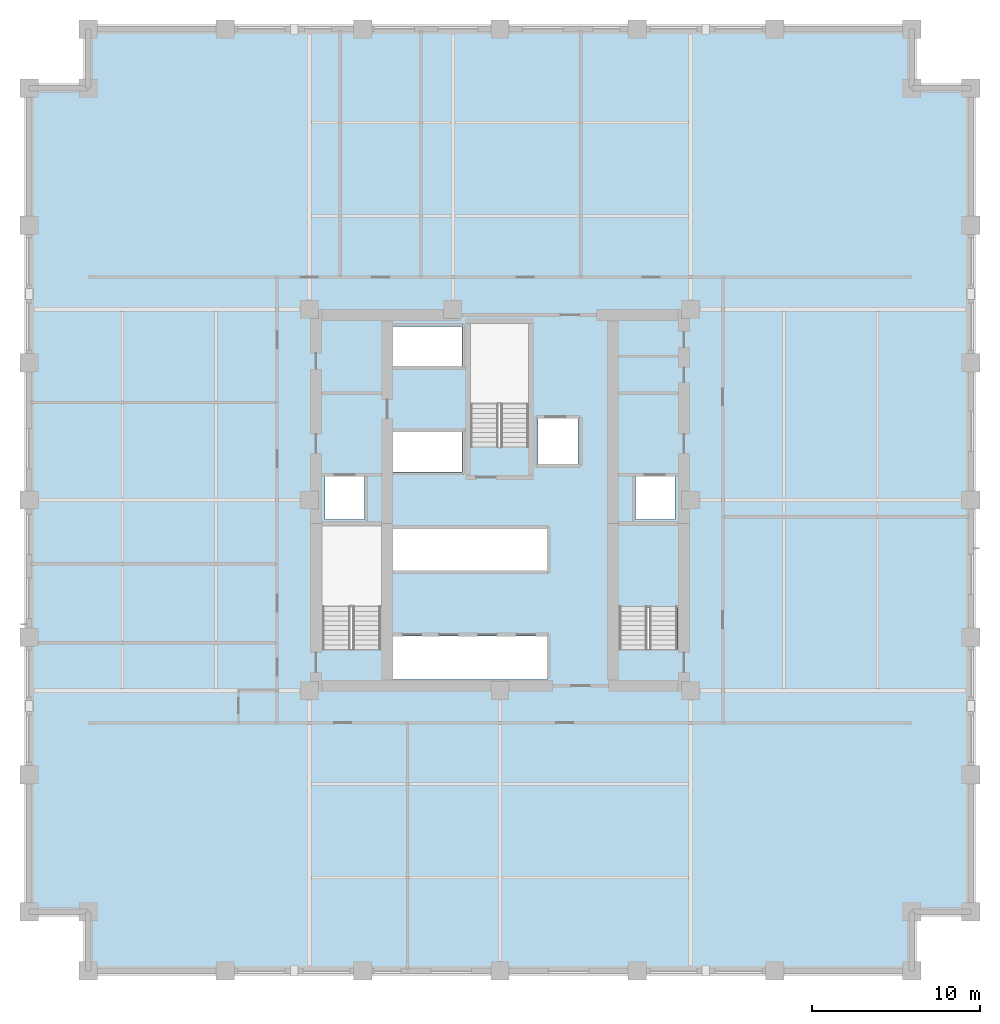
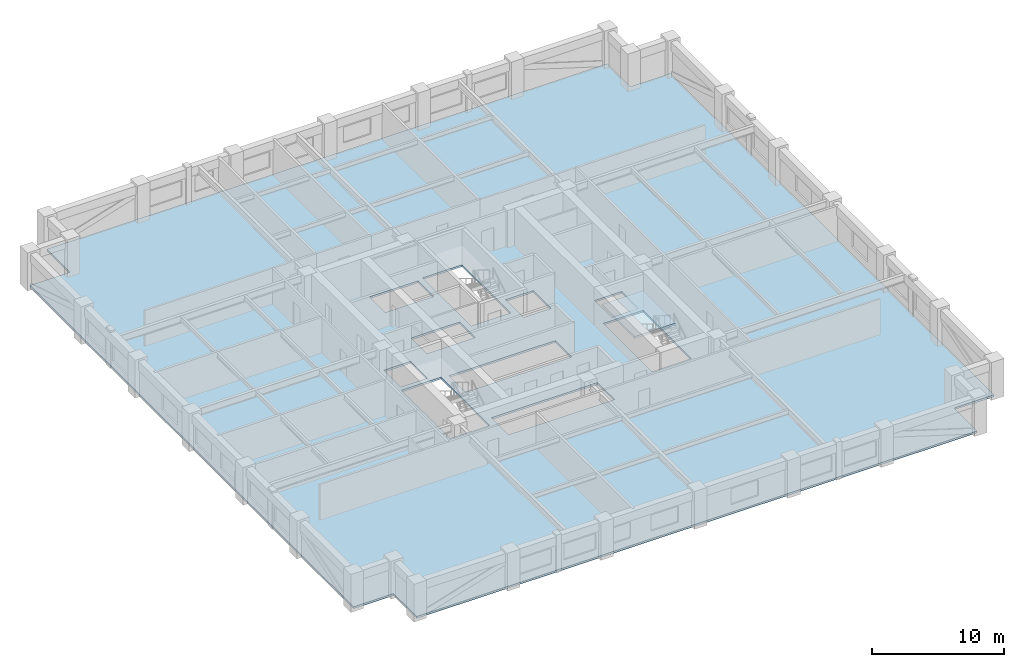
# One storey, part 3 of 9: 2 slabs, 1 element without a shape of its own.
"""IFC4 building model written with IfcOpenShell, lengths in metres."""

from ifc_helpers import new_model, si_unit, direction, frame, origin, place, context, subcontext, project, spatial, polyline, outline, extrude, material, layer, layer_set, type_object, element, aggregate, save


model = new_model("IFC4")

# Units and contexts
model_context = context("Model", 3, precision=1e-05, world=origin(), true_north=direction((0.0, 1.0)))
body_context = subcontext(model_context, "Body", "Model", "MODEL_VIEW")
ifc_project = project(units=[si_unit("LENGTHUNIT", "METRE"), si_unit("AREAUNIT", "SQUARE_METRE"), si_unit("VOLUMEUNIT", "CUBIC_METRE"), si_unit("PLANEANGLEUNIT", "RADIAN"), si_unit("MASSUNIT", "GRAM", prefix="KILO")], contexts=[model_context])

# Site, building, storey
site_placement = place(None, origin())
site = spatial("IfcSite", under=ifc_project, at=site_placement, CompositionType="ELEMENT")
building_placement = place(site_placement, origin())
building = spatial("IfcBuilding", under=site, at=building_placement, Name="Nhamokura Convention Tower", CompositionType="ELEMENT")
storey_placement = place(building_placement, frame((0.0, 0.0, 85.75)))
storey = spatial("IfcBuildingStorey", under=building, at=storey_placement, Name="L20", CompositionType="ELEMENT", Elevation=85.75)

# Slab
ifc_material_1 = material(Name="Concrete C40/50", Category="concrete")
ifc_layer_1 = layer(ifc_material_1, 0.179931640625)
ifc_layer_set_1 = layer_set([ifc_layer_1], Name="HotelFloorSlab_180")
slab_type_1 = type_object("IfcSlabType", Name="HotelFloorSlab_180", PredefinedType="FLOOR", material=ifc_layer_set_1)
slab_1_placement = place(storey_placement, frame((0.0, 0.0, -0.179931640625)))
element("IfcSlab", 1, at=slab_1_placement, inside=storey, type_object=slab_type_1, Name="L20 Structural Floor Slab", PredefinedType="FLOOR", context=body_context, shape_type="SweptSolid", body=[
    extrude(outline(polyline([(7.5, 4.0), (56.5, 4.0), (56.5, 7.5), (60.0, 7.5), (60.0, 56.5), (56.5, 56.5), (56.5, 60.0), (7.5, 60.0), (7.5, 56.5), (4.0, 56.5), (4.0, 7.5), (7.5, 7.5), (7.5, 4.0)]), holes=[polyline([(24.89990234375, 23.10009765625), (24.89990234375, 30.449951171875), (21.449951171875, 30.449951171875), (21.449951171875, 23.10009765625), (24.89990234375, 23.10009765625)]), polyline([(42.550048828125, 23.10009765625), (42.550048828125, 30.449951171875), (39.10009765625, 30.449951171875), (39.10009765625, 23.10009765625), (42.550048828125, 23.10009765625)]), polyline([(33.699951171875, 35.14990234375), (33.699951171875, 42.5), (30.25, 42.5), (30.25, 35.14990234375), (33.699951171875, 35.14990234375)]), polyline([(21.60009765625, 30.85009765625), (23.949951171875, 30.85009765625), (23.949951171875, 33.39990234375), (21.60009765625, 33.39990234375), (21.60009765625, 30.85009765625)]), polyline([(40.050048828125, 30.85009765625), (42.39990234375, 30.85009765625), (42.39990234375, 33.39990234375), (40.050048828125, 33.39990234375), (40.050048828125, 30.85009765625)]), polyline([(34.25, 34.14990234375), (36.64990234375, 34.14990234375), (36.64990234375, 36.85009765625), (34.25, 36.85009765625), (34.25, 34.14990234375)]), polyline([(25.52001953125, 21.320068359375), (34.800048828125, 21.320068359375), (34.800048828125, 23.89990234375), (25.52001953125, 23.89990234375), (25.52001953125, 21.320068359375)]), polyline([(25.52001953125, 27.800048828125), (34.800048828125, 27.800048828125), (34.800048828125, 30.300048828125), (25.52001953125, 30.300048828125), (25.52001953125, 27.800048828125)]), polyline([(25.52001953125, 33.679931640625), (29.75, 33.679931640625), (29.75, 36.050048828125), (25.52001953125, 36.050048828125), (25.52001953125, 33.679931640625)]), polyline([(25.52001953125, 39.949951171875), (29.75, 39.949951171875), (29.75, 42.320068359375), (25.52001953125, 42.320068359375), (25.52001953125, 39.949951171875)])]), origin(), (0.0, 0.0, 1.0), 0.179931640625),
])

# Stair, slab
ifc_material_2 = material(Name="Concrete C40/50", Category="concrete")
stair_type = type_object("IfcStairType", Name="TowerCoreStair_1650", PredefinedType="HALF_TURN_STAIR", material=ifc_material_2)
stair_placement = place(storey_placement, origin())
stair = element("IfcStair", 2, at=stair_placement, inside=storey, type_object=stair_type, Name="L20 East Core Smokeproof Stair ST-02", PredefinedType="HALF_TURN_STAIR")
ifc_material_3 = material(Name="Concrete C40/50", Category="concrete")
ifc_layer_2 = layer(ifc_material_3, 0.199951171875)
ifc_layer_set_2 = layer_set([ifc_layer_2], Name="StairLandingSlab_200")
slab_type_2 = type_object("IfcSlabType", Name="StairLandingSlab_200", PredefinedType="LANDING", material=ifc_layer_set_2)
slab_2_placement = place(storey_placement, frame((0.0, 0.0, 1.550048828125)))
slab_2 = element("IfcSlab", 3, at=slab_2_placement, type_object=slab_type_2, Name="ST-02 landing 1", PredefinedType="LANDING", context=body_context, shape_type="SweptSolid", body=[
    extrude(outline(polyline([(42.6298828125, 25.5849609375), (42.6298828125, 30.530029296875), (39.02001953125, 30.530029296875), (39.02001953125, 25.5849609375), (42.6298828125, 25.5849609375)])), origin(), (0.0, 0.0, 1.0), 0.199951171875),
])
aggregate(stair, [slab_2])

save(model, "model.ifc")
